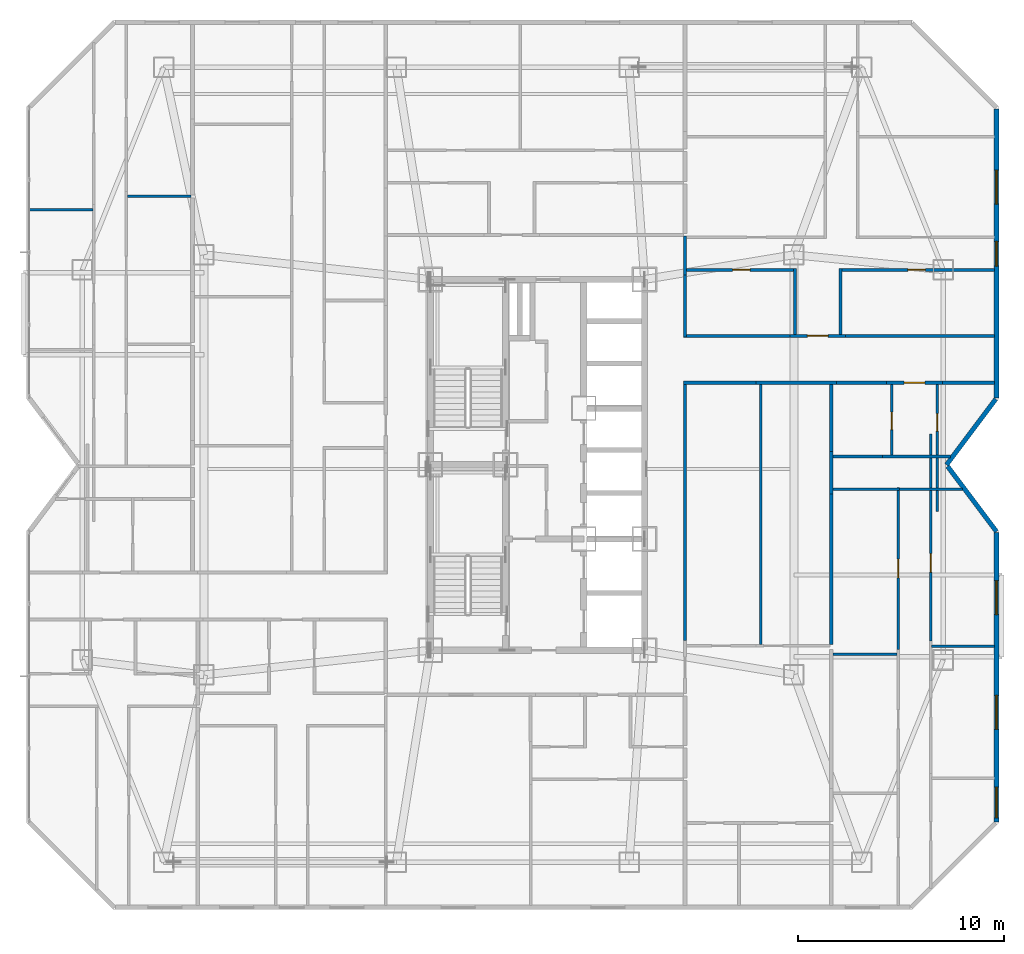
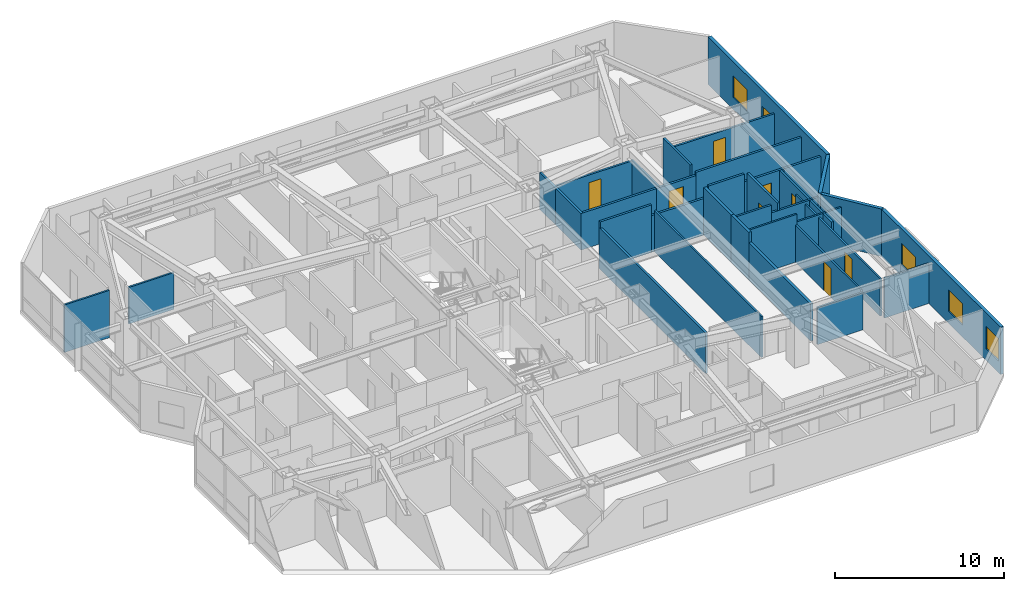
# One storey, part 18 of 21: 35 walls, 8 doors, 5 windows, 13 openings.
"""IFC4 building model written with IfcOpenShell, lengths in metres."""

from ifc_helpers import new_model, si_unit, direction, frame, frame_2d, origin, place, context, subcontext, project, spatial, rectangle, extrude, material, layer, layer_set, type_object, element, fill, save


model = new_model("IFC4")

# Units and contexts
model_context = context("Model", 3, precision=1e-05, world=origin(), true_north=direction((0.0, 1.0)))
body_context = subcontext(model_context, "Body", "Model", "MODEL_VIEW")
ifc_project = project(units=[si_unit("LENGTHUNIT", "METRE"), si_unit("AREAUNIT", "SQUARE_METRE"), si_unit("VOLUMEUNIT", "CUBIC_METRE"), si_unit("PLANEANGLEUNIT", "RADIAN"), si_unit("MASSUNIT", "GRAM", prefix="KILO")], contexts=[model_context])

# Site, building, storey
site_placement = place(None, origin())
site = spatial("IfcSite", under=ifc_project, at=site_placement, CompositionType="ELEMENT")
building_placement = place(site_placement, origin())
building = spatial("IfcBuilding", under=site, at=building_placement, Name="Khamvora Tower", CompositionType="ELEMENT")
storey_placement = place(building_placement, frame((0.0, 0.0, 98.25)))
storey = spatial("IfcBuildingStorey", under=building, at=storey_placement, Name="L24", CompositionType="ELEMENT", Elevation=98.25)

# Walls
ifc_material_1 = material(Name="Fire-Rated Drywall and Steel Stud", Category="steel")
ifc_layer_1 = layer(ifc_material_1, 0.14990234375)
ifc_layer_set_1 = layer_set([ifc_layer_1], Name="Fire-Rated Drywall and Steel Stud")
wall_type_1 = type_object("IfcWallType", Name="WAL-CORR-150", PredefinedType="STANDARD", material=ifc_layer_set_1)
wall_1_placement = place(storey_placement, frame((48.708984375, 31.985107421875, 0.0), z_axis=(0.0, 0.0, 1.0), x_axis=(-1.0, 0.0, 0.0)))
element("IfcWall", 1, at=wall_1_placement, inside=storey, type_object=wall_type_1, Name="L24 interior partition wall 032", PredefinedType="STANDARD", context=body_context, shape_type="SweptSolid", body=[
    extrude(rectangle(XDim=3.906005859375, YDim=0.14990234375, at=frame_2d((1.953125, 0.0))), origin(), (0.0, 0.0, 1.0), 2.64697265625),
])
wall_2_placement = place(storey_placement, frame((44.802978515625, 31.985107421875, 0.0), z_axis=(0.0, 0.0, 1.0), x_axis=(-1.0, 0.0, 0.0)))
element("IfcWall", 2, at=wall_2_placement, inside=storey, type_object=wall_type_1, Name="L24 interior partition wall 033", PredefinedType="STANDARD", context=body_context, shape_type="SweptSolid", body=[
    extrude(rectangle(XDim=3.5029296875, YDim=0.14990234375, at=frame_2d((1.75146484375, 0.0))), origin(), (0.0, 0.0, 1.0), 3.429931640625),
])
wall_3_placement = place(storey_placement, frame((41.364990234375, 32.048095703125, 0.0), z_axis=(0.0, 0.0, 1.0), x_axis=(0.0, -1.0, 0.0)))
element("IfcWall", 3, at=wall_3_placement, inside=storey, type_object=wall_type_1, Name="L24 interior partition wall 034", PredefinedType="STANDARD", context=body_context, shape_type="SweptSolid", body=[
    extrude(rectangle(XDim=12.589111328125, YDim=0.14990234375, at=frame_2d((6.29443359375, 0.0))), origin(), (0.0, 0.0, 1.0), 2.9609375),
])

# Wall, opening, door
wall_4_placement = place(storey_placement, frame((53.85693359375, 31.985107421875, 0.0), z_axis=(0.0, 0.0, 1.0), x_axis=(-1.0, 0.0, 0.0)))
wall_4 = element("IfcWall", 4, at=wall_4_placement, inside=storey, type_object=wall_type_1, Name="L24 interior partition wall 035", PredefinedType="STANDARD", context=body_context, shape_type="SweptSolid", body=[
    extrude(rectangle(XDim=2.698974609375, YDim=0.14990234375, at=frame_2d((1.349609375, 0.0))), origin(), (0.0, 0.0, 1.0), 2.8759765625),
])
opening_1_placement = place(wall_4_placement, frame((0.84912109375, 0.0, 0.0)))
opening_1 = element("IfcOpeningElement", 5, at=opening_1_placement, cuts=wall_4, Name="Opening D-U1", PredefinedType="OPENING", context=body_context, shape_type="SweptSolid", body=[
    extrude(rectangle(XDim=1.0, YDim=2.14990234375, at=frame_2d((0.5, 1.074951171875))), frame((0.0, 0.0849609375, 0.0), z_axis=(0.0, -1.0, 0.0), x_axis=(1.0, 0.0, 0.0)), (0.0, 0.0, 1.0), 0.169921875),
])
ifc_material_2 = material(Name="Powder-Coated Steel and Hardwood Leaf", Category="steel")
door_type_1 = type_object("IfcDoorType", Name="DOR-UNIT-1000", OperationType="NOTDEFINED", PredefinedType="DOOR", material=ifc_material_2)
door_1_placement = place(opening_1_placement, origin())
door_1 = element("IfcDoor", 6, at=door_1_placement, inside=storey, type_object=door_type_1, Name="L24 interior door COR-24EBH", OperationType="SINGLE_SWING_LEFT", OverallHeight=2.14990234375, OverallWidth=1.0, PredefinedType="DOOR", context=body_context, shape_type="SweptSolid", body=[
    extrude(rectangle(XDim=1.0, YDim=2.14990234375, at=frame_2d((0.5, 1.074951171875))), frame((0.0, 0.02490234375, 0.0), z_axis=(0.0, -1.0, 0.0), x_axis=(1.0, 0.0, 0.0)), (0.0, 0.0, 1.0), 0.050048828125),
])
fill(opening_1, door_1)

# Walls
wall_5_placement = place(storey_placement, frame((56.387939453125, 31.985107421875, 0.0), z_axis=(0.0, 0.0, 1.0), x_axis=(-1.0, 0.0, 0.0)))
element("IfcWall", 7, at=wall_5_placement, inside=storey, type_object=wall_type_1, Name="L24 interior partition wall 036", PredefinedType="STANDARD", context=body_context, shape_type="SweptSolid", body=[
    extrude(rectangle(XDim=2.531005859375, YDim=0.14990234375, at=frame_2d((1.265625, 0.0))), origin(), (0.0, 0.0, 1.0), 2.8759765625),
])
wall_6_placement = place(storey_placement, frame((51.157958984375, 31.985107421875, 0.0), z_axis=(0.0, 0.0, 1.0), x_axis=(-1.0, 0.0, 0.0)))
element("IfcWall", 8, at=wall_6_placement, inside=storey, type_object=wall_type_1, Name="L24 interior partition wall 037", PredefinedType="STANDARD", context=body_context, shape_type="SweptSolid", body=[
    extrude(rectangle(XDim=2.448974609375, YDim=0.14990234375, at=frame_2d((1.224609375, 0.0))), origin(), (0.0, 0.0, 1.0), 3.429931640625),
])
wall_7_placement = place(storey_placement, frame((41.364990234375, 39.10009765625, 0.0), z_axis=(0.0, 0.0, 1.0), x_axis=(0.0, -1.0, 0.0)))
element("IfcWall", 9, at=wall_7_placement, inside=storey, type_object=wall_type_1, Name="L24 interior partition wall 038", PredefinedType="STANDARD", context=body_context, shape_type="SweptSolid", body=[
    extrude(rectangle(XDim=1.885009765625, YDim=0.14990234375, at=frame_2d((0.9423828125, 0.0))), origin(), (0.0, 0.0, 1.0), 2.64697265625),
])

# Wall, opening, door
wall_8_placement = place(storey_placement, frame((46.4609375, 34.264892578125, 0.0), z_axis=(0.0, 0.0, 1.0), x_axis=(1.0, 0.0, 0.0)))
wall_8 = element("IfcWall", 10, at=wall_8_placement, inside=storey, type_object=wall_type_1, Name="L24 interior partition wall 039", PredefinedType="STANDARD", context=body_context, shape_type="SweptSolid", body=[
    extrude(rectangle(XDim=2.697998046875, YDim=0.14990234375, at=frame_2d((1.34912109375, 0.0))), origin(), (0.0, 0.0, 1.0), 2.64697265625),
])
opening_2_placement = place(wall_8_placement, frame((0.84912109375, 0.0, 0.0)))
opening_2 = element("IfcOpeningElement", 11, at=opening_2_placement, cuts=wall_8, Name="Opening D-U1", PredefinedType="OPENING", context=body_context, shape_type="SweptSolid", body=[
    extrude(rectangle(XDim=1.0, YDim=2.14990234375, at=frame_2d((0.5, 1.074951171875))), frame((0.0, 0.0849609375, 0.0), z_axis=(0.0, -1.0, 0.0), x_axis=(1.0, 0.0, 0.0)), (0.0, 0.0, 1.0), 0.169921875),
])
door_2_placement = place(opening_2_placement, origin())
door_2 = element("IfcDoor", 12, at=door_2_placement, inside=storey, type_object=door_type_1, Name="L24 interior door COR-24ECH", OperationType="SINGLE_SWING_RIGHT", OverallHeight=2.14990234375, OverallWidth=1.0, PredefinedType="DOOR", context=body_context, shape_type="SweptSolid", body=[
    extrude(rectangle(XDim=1.0, YDim=2.14990234375, at=frame_2d((0.5, 1.074951171875))), frame((0.0, 0.02490234375, 0.0), z_axis=(0.0, -1.0, 0.0), x_axis=(1.0, 0.0, 0.0)), (0.0, 0.0, 1.0), 0.050048828125),
])
fill(opening_2, door_2)

# Walls
wall_9_placement = place(storey_placement, frame((41.364990234375, 37.215087890625, 0.0), z_axis=(0.0, 0.0, 1.0), x_axis=(0.0, -1.0, 0.0)))
element("IfcWall", 13, at=wall_9_placement, inside=storey, type_object=wall_type_1, Name="L24 interior partition wall 040", PredefinedType="STANDARD", context=body_context, shape_type="SweptSolid", body=[
    extrude(rectangle(XDim=3.01513671875, YDim=0.14990234375, at=frame_2d((1.507568359375, 0.0))), origin(), (0.0, 0.0, 1.0), 2.64697265625),
])
wall_10_placement = place(storey_placement, frame((41.300048828125, 34.264892578125, 0.0), z_axis=(0.0, 0.0, 1.0), x_axis=(1.0, 0.0, 0.0)))
element("IfcWall", 14, at=wall_10_placement, inside=storey, type_object=wall_type_1, Name="L24 interior partition wall 041", PredefinedType="STANDARD", context=body_context, shape_type="SweptSolid", body=[
    extrude(rectangle(XDim=5.160888671875, YDim=0.14990234375, at=frame_2d((2.58056640625, 0.0))), origin(), (0.0, 0.0, 1.0), 2.64697265625),
])
wall_11_placement = place(storey_placement, frame((49.158935546875, 34.264892578125, 0.0), z_axis=(0.0, 0.0, 1.0), x_axis=(1.0, 0.0, 0.0)))
element("IfcWall", 15, at=wall_11_placement, inside=storey, type_object=wall_type_1, Name="L24 interior partition wall 042", PredefinedType="STANDARD", context=body_context, shape_type="SweptSolid", body=[
    extrude(rectangle(XDim=7.22900390625, YDim=0.14990234375, at=frame_2d((3.614501953125, 0.0))), origin(), (0.0, 0.0, 1.0), 2.8759765625),
])
ifc_material_3 = material(Name="Acoustic Double-Stud Fire Wall", Category="gypsum")
ifc_layer_2 = layer(ifc_material_3, 0.179931640625)
ifc_layer_set_2 = layer_set([ifc_layer_2], Name="Acoustic Double-Stud Fire Wall")
wall_type_2 = type_object("IfcWallType", Name="WAL-CORR-180", PredefinedType="STANDARD", material=ifc_layer_set_2)
wall_12_placement = place(storey_placement, frame((48.4599609375, 28.654052734375, 0.0), z_axis=(0.0, 0.0, 1.0), x_axis=(0.0, -1.0, 0.0)))
element("IfcWall", 16, at=wall_12_placement, inside=storey, type_object=wall_type_2, Name="L24 interior partition wall 136", PredefinedType="STANDARD", context=body_context, shape_type="SweptSolid", body=[
    extrude(rectangle(XDim=2.078125, YDim=0.179931640625, at=frame_2d((1.0390625, 0.0))), origin(), (0.0, 0.0, 1.0), 3.429931640625),
])
wall_13_placement = place(storey_placement, frame((48.4599609375, 31.91796875, 0.0), z_axis=(0.0, 0.0, 1.0), x_axis=(0.0, -1.0, 0.0)))
element("IfcWall", 17, at=wall_13_placement, inside=storey, type_object=wall_type_2, Name="L24 interior partition wall 137", PredefinedType="STANDARD", context=body_context, shape_type="SweptSolid", body=[
    extrude(rectangle(XDim=3.263916015625, YDim=0.179931640625, at=frame_2d((1.6318359375, 0.0))), origin(), (0.0, 0.0, 1.0), 3.429931640625),
])
wall_14_placement = place(storey_placement, frame((48.4599609375, 26.575927734375, 0.0), z_axis=(0.0, 0.0, 1.0), x_axis=(0.0, -1.0, 0.0)))
element("IfcWall", 18, at=wall_14_placement, inside=storey, type_object=wall_type_2, Name="L24 interior partition wall 138", PredefinedType="STANDARD", context=body_context, shape_type="SweptSolid", body=[
    extrude(rectangle(XDim=7.301025390625, YDim=0.179931640625, at=frame_2d((3.650390625, 0.0))), origin(), (0.0, 0.0, 1.0), 2.68701171875),
])

# Wall, openings, windows
ifc_material_4 = material(Name="Precast concrete C40/50", Category="concrete")
ifc_layer_3 = layer(ifc_material_4, 0.219970703125)
ifc_layer_set_3 = layer_set([ifc_layer_3], Name="Precast concrete C40/50")
wall_type_3 = type_object("IfcWallType", Name="WAL-EXT-220", PredefinedType="STANDARD", material=ifc_layer_set_3)
wall_15_placement = place(storey_placement, frame((56.489990234375, 45.282958984375, 0.0), z_axis=(0.0, 0.0, 1.0), x_axis=(0.0, -1.0, 0.0)))
wall_15 = element("IfcWall", 19, at=wall_15_placement, inside=storey, type_object=wall_type_3, Name="L24 exterior facade wall 09.1", PredefinedType="STANDARD", context=body_context, shape_type="SweptSolid", body=[
    extrude(rectangle(XDim=14.0458984375, YDim=0.219970703125, at=frame_2d((7.02294921875, 0.0))), origin(), (0.0, 0.0, 1.0), 3.429931640625),
])
opening_3_placement = place(wall_15_placement, frame((6.428955078125, 0.0, 0.800048828125)))
opening_3 = element("IfcOpeningElement", 20, at=opening_3_placement, cuts=wall_15, Name="Opening WN-03", PredefinedType="OPENING", context=body_context, shape_type="SweptSolid", body=[
    extrude(rectangle(XDim=1.199951171875, YDim=1.5, at=frame_2d((0.60009765625, 0.75))), frame((0.0, 0.119873046875, 0.0), z_axis=(0.0, -1.0, 0.0), x_axis=(1.0, 0.0, 0.0)), (0.0, 0.0, 1.0), 0.239990234375),
])
opening_4_placement = place(wall_15_placement, frame((2.970947265625, 0.0, 0.85009765625)))
opening_4 = element("IfcOpeningElement", 21, at=opening_4_placement, cuts=wall_15, Name="Opening WN-06", PredefinedType="OPENING", context=body_context, shape_type="SweptSolid", body=[
    extrude(rectangle(XDim=1.64990234375, YDim=1.550048828125, at=frame_2d((0.824951171875, 0.77490234375))), frame((0.0, 0.119873046875, 0.0), z_axis=(0.0, -1.0, 0.0), x_axis=(1.0, 0.0, 0.0)), (0.0, 0.0, 1.0), 0.239990234375),
])
ifc_material_5 = material(Name="Low-E Laminated Double Glazing", Category="glass")
window_type_1 = type_object("IfcWindowType", Name="WIN-VIS-1200x1500", PartitioningType="SINGLE_PANEL", PredefinedType="WINDOW", material=ifc_material_5)
window_1_placement = place(opening_3_placement, origin())
window_1 = element("IfcWindow", 22, at=window_1_placement, inside=storey, type_object=window_type_1, Name="L24 vision window 09.1.01", OverallHeight=1.5, OverallWidth=1.199951171875, PartitioningType="SINGLE_PANEL", PredefinedType="WINDOW", context=body_context, shape_type="SweptSolid", body=[
    extrude(rectangle(XDim=1.199951171875, YDim=1.5, at=frame_2d((0.60009765625, 0.75))), frame((0.0, 0.030029296875, 0.0), z_axis=(0.0, -1.0, 0.0), x_axis=(1.0, 0.0, 0.0)), (0.0, 0.0, 1.0), 0.06005859375),
])
fill(opening_3, window_1)
window_type_2 = type_object("IfcWindowType", Name="WIN-VIS-1650x1550", PartitioningType="SINGLE_PANEL", PredefinedType="WINDOW", material=ifc_material_5)
window_2_placement = place(opening_4_placement, origin())
window_2 = element("IfcWindow", 23, at=window_2_placement, inside=storey, type_object=window_type_2, Name="L24 vision window 09.1.02", OverallHeight=1.550048828125, OverallWidth=1.64990234375, PartitioningType="SINGLE_PANEL", PredefinedType="WINDOW", context=body_context, shape_type="SweptSolid", body=[
    extrude(rectangle(XDim=1.64990234375, YDim=1.550048828125, at=frame_2d((0.824951171875, 0.77490234375))), frame((0.0, 0.030029296875, 0.0), z_axis=(0.0, -1.0, 0.0), x_axis=(1.0, 0.0, 0.0)), (0.0, 0.0, 1.0), 0.06005859375),
])
fill(opening_4, window_2)

# Walls
wall_16_placement = place(storey_placement, frame((56.4560546875, 31.19091796875, 0.0), z_axis=(0.0, 0.0, 1.0), x_axis=(-0.600137081448, -0.799897170561, 0.0)))
element("IfcWall", 24, at=wall_16_placement, inside=storey, type_object=wall_type_3, Name="L24 exterior facade wall 10.1", PredefinedType="STANDARD", context=body_context, shape_type="SweptSolid", body=[
    extrude(rectangle(XDim=3.9892578125, YDim=0.219970703125, at=frame_2d((1.99462890625, 0.0))), origin(), (0.0, 0.0, 1.0), 3.429931640625),
])
wall_17_placement = place(storey_placement, frame((54.118896484375, 27.924072265625, 0.0), z_axis=(0.0, 0.0, 1.0), x_axis=(0.600039540588, -0.799970343032, 0.0)))
element("IfcWall", 25, at=wall_17_placement, inside=storey, type_object=wall_type_3, Name="L24 exterior facade wall 11.1", PredefinedType="STANDARD", context=body_context, shape_type="SweptSolid", body=[
    extrude(rectangle(XDim=3.95166015625, YDim=0.219970703125, at=frame_2d((1.975830078125, 0.0))), origin(), (0.0, 0.0, 1.0), 3.429931640625),
])

# Wall, openings, windows
wall_18_placement = place(storey_placement, frame((56.489990234375, 24.70703125, 0.0), z_axis=(0.0, 0.0, 1.0), x_axis=(0.0, -1.0, 0.0)))
wall_18 = element("IfcWall", 26, at=wall_18_placement, inside=storey, type_object=wall_type_3, Name="L24 exterior facade wall 12.1", PredefinedType="STANDARD", context=body_context, shape_type="SweptSolid", body=[
    extrude(rectangle(XDim=14.06103515625, YDim=0.219970703125, at=frame_2d((7.030517578125, 0.0))), origin(), (0.0, 0.0, 1.0), 3.429931640625),
])
opening_5_placement = place(wall_18_placement, frame((12.35595703125, 0.0, 0.85009765625)))
opening_5 = element("IfcOpeningElement", 27, at=opening_5_placement, cuts=wall_18, Name="Opening WN-02", PredefinedType="OPENING", context=body_context, shape_type="SweptSolid", body=[
    extrude(rectangle(XDim=1.5, YDim=1.60009765625, at=frame_2d((0.75, 0.800048828125))), frame((0.0, 0.119873046875, 0.0), z_axis=(0.0, -1.0, 0.0), x_axis=(1.0, 0.0, 0.0)), (0.0, 0.0, 1.0), 0.239990234375),
])
opening_6_placement = place(wall_18_placement, frame((7.902099609375, 0.0, 0.85009765625)))
opening_6 = element("IfcOpeningElement", 28, at=opening_6_placement, cuts=wall_18, Name="Opening WN-06", PredefinedType="OPENING", context=body_context, shape_type="SweptSolid", body=[
    extrude(rectangle(XDim=1.64990234375, YDim=1.550048828125, at=frame_2d((0.824951171875, 0.77490234375))), frame((0.0, 0.119873046875, 0.0), z_axis=(0.0, -1.0, 0.0), x_axis=(1.0, 0.0, 0.0)), (0.0, 0.0, 1.0), 0.239990234375),
])
opening_7_placement = place(wall_18_placement, frame((2.326904296875, 0.0, 0.85009765625)))
opening_7 = element("IfcOpeningElement", 29, at=opening_7_placement, cuts=wall_18, Name="Opening WN-06", PredefinedType="OPENING", context=body_context, shape_type="SweptSolid", body=[
    extrude(rectangle(XDim=1.64990234375, YDim=1.550048828125, at=frame_2d((0.824951171875, 0.77490234375))), frame((0.0, 0.119873046875, 0.0), z_axis=(0.0, -1.0, 0.0), x_axis=(1.0, 0.0, 0.0)), (0.0, 0.0, 1.0), 0.239990234375),
])
window_type_3 = type_object("IfcWindowType", Name="WIN-VIS-1500x1600", PartitioningType="SINGLE_PANEL", PredefinedType="WINDOW", material=ifc_material_5)
window_3_placement = place(opening_5_placement, origin())
window_3 = element("IfcWindow", 30, at=window_3_placement, inside=storey, type_object=window_type_3, Name="L24 vision window 12.1.01", OverallHeight=1.60009765625, OverallWidth=1.5, PartitioningType="SINGLE_PANEL", PredefinedType="WINDOW", context=body_context, shape_type="SweptSolid", body=[
    extrude(rectangle(XDim=1.5, YDim=1.60009765625, at=frame_2d((0.75, 0.800048828125))), frame((0.0, 0.030029296875, 0.0), z_axis=(0.0, -1.0, 0.0), x_axis=(1.0, 0.0, 0.0)), (0.0, 0.0, 1.0), 0.06005859375),
])
fill(opening_5, window_3)
window_4_placement = place(opening_6_placement, origin())
window_4 = element("IfcWindow", 31, at=window_4_placement, inside=storey, type_object=window_type_2, Name="L24 vision window 12.1.02", OverallHeight=1.550048828125, OverallWidth=1.64990234375, PartitioningType="SINGLE_PANEL", PredefinedType="WINDOW", context=body_context, shape_type="SweptSolid", body=[
    extrude(rectangle(XDim=1.64990234375, YDim=1.550048828125, at=frame_2d((0.824951171875, 0.77490234375))), frame((0.0, 0.030029296875, 0.0), z_axis=(0.0, -1.0, 0.0), x_axis=(1.0, 0.0, 0.0)), (0.0, 0.0, 1.0), 0.06005859375),
])
fill(opening_6, window_4)
window_5_placement = place(opening_7_placement, origin())
window_5 = element("IfcWindow", 32, at=window_5_placement, inside=storey, type_object=window_type_2, Name="L24 vision window 12.1.03", OverallHeight=1.550048828125, OverallWidth=1.64990234375, PartitioningType="SINGLE_PANEL", PredefinedType="WINDOW", context=body_context, shape_type="SweptSolid", body=[
    extrude(rectangle(XDim=1.64990234375, YDim=1.550048828125, at=frame_2d((0.824951171875, 0.77490234375))), frame((0.0, 0.030029296875, 0.0), z_axis=(0.0, -1.0, 0.0), x_axis=(1.0, 0.0, 0.0)), (0.0, 0.0, 1.0), 0.06005859375),
])
fill(opening_7, window_5)

# Walls
ifc_material_6 = material(Name="Gypsum Plasterboard Partition", Category="gypsum")
ifc_layer_4 = layer(ifc_material_6, 0.1201171875)
ifc_layer_set_4 = layer_set([ifc_layer_4], Name="Gypsum Plasterboard Partition")
wall_type_4 = type_object("IfcWallType", Name="WAL-PART-120", PredefinedType="PARTITIONING", material=ifc_layer_set_4)
wall_19_placement = place(storey_placement, frame((9.510009765625, 40.39501953125, 0.0), z_axis=(0.0, 0.0, 1.0), x_axis=(1.0, 0.0, 0.0)))
element("IfcWall", 33, at=wall_19_placement, inside=storey, type_object=wall_type_4, Name="L24 interior partition wall 084", PredefinedType="PARTITIONING", context=body_context, shape_type="SweptSolid", body=[
    extrude(rectangle(XDim=3.097900390625, YDim=0.1201171875, at=frame_2d((1.548828125, 0.0))), origin(), (0.0, 0.0, 1.0), 3.429931640625),
])
wall_20_placement = place(storey_placement, frame((14.285888671875, 41.031005859375, 0.0), z_axis=(0.0, 0.0, 1.0), x_axis=(1.0, 0.0, 0.0)))
element("IfcWall", 34, at=wall_20_placement, inside=storey, type_object=wall_type_4, Name="L24 interior partition wall 088", PredefinedType="PARTITIONING", context=body_context, shape_type="SweptSolid", body=[
    extrude(rectangle(XDim=3.09912109375, YDim=0.1201171875, at=frame_2d((1.549560546875, 0.0))), origin(), (0.0, 0.0, 1.0), 2.64697265625),
])
wall_21_placement = place(storey_placement, frame((45.052001953125, 19.263916015625, 0.0), z_axis=(0.0, 0.0, 1.0), x_axis=(0.0, 1.0, 0.0)))
element("IfcWall", 35, at=wall_21_placement, inside=storey, type_object=wall_type_4, Name="L24 interior partition wall 135", PredefinedType="PARTITIONING", context=body_context, shape_type="SweptSolid", body=[
    extrude(rectangle(XDim=12.654052734375, YDim=0.1201171875, at=frame_2d((6.3271484375, 0.0))), origin(), (0.0, 0.0, 1.0), 2.9609375),
])

# Wall, opening, door
wall_22_placement = place(storey_placement, frame((51.722900390625, 19.0419921875, 0.0), z_axis=(0.0, 0.0, 1.0), x_axis=(0.0, 1.0, 0.0)))
wall_22 = element("IfcWall", 36, at=wall_22_placement, inside=storey, type_object=wall_type_4, Name="L24 interior partition wall 147", PredefinedType="PARTITIONING", context=body_context, shape_type="SweptSolid", body=[
    extrude(rectangle(XDim=7.847900390625, YDim=0.1201171875, at=frame_2d((3.923828125, 0.0))), origin(), (0.0, 0.0, 1.0), 2.68701171875),
])
opening_8_placement = place(wall_22_placement, frame((3.47412109375, 0.0, 0.0)))
opening_8 = element("IfcOpeningElement", 37, at=opening_8_placement, cuts=wall_22, Name="Opening D-RM1", PredefinedType="OPENING", context=body_context, shape_type="SweptSolid", body=[
    extrude(rectangle(XDim=0.89990234375, YDim=2.10009765625, at=frame_2d((0.449951171875, 1.050048828125))), frame((0.0, 0.070068359375, 0.0), z_axis=(0.0, -1.0, 0.0), x_axis=(1.0, 0.0, 0.0)), (0.0, 0.0, 1.0), 0.14013671875),
])
door_type_2 = type_object("IfcDoorType", Name="DOR-ROOM-900", OperationType="NOTDEFINED", PredefinedType="DOOR", material=ifc_material_2)
door_3_placement = place(opening_8_placement, origin())
door_3 = element("IfcDoor", 38, at=door_3_placement, inside=storey, type_object=door_type_2, Name="L24 interior door 24EBH-24EBR3", OperationType="SINGLE_SWING_LEFT", OverallHeight=2.10009765625, OverallWidth=0.89990234375, PredefinedType="DOOR", context=body_context, shape_type="SweptSolid", body=[
    extrude(rectangle(XDim=0.89990234375, YDim=2.10009765625, at=frame_2d((0.449951171875, 1.050048828125))), frame((0.0, 0.02490234375, 0.0), z_axis=(0.0, -1.0, 0.0), x_axis=(1.0, 0.0, 0.0)), (0.0, 0.0, 1.0), 0.050048828125),
])
fill(opening_8, door_3)

# Walls
wall_23_placement = place(storey_placement, frame((51.7880859375, 26.824951171875, 0.0), z_axis=(0.0, 0.0, 1.0), x_axis=(-1.0, 0.0, 0.0)))
element("IfcWall", 39, at=wall_23_placement, inside=storey, type_object=wall_type_4, Name="L24 interior partition wall 148", PredefinedType="PARTITIONING", context=body_context, shape_type="SweptSolid", body=[
    extrude(rectangle(XDim=3.24609375, YDim=0.1201171875, at=frame_2d((1.623046875, 0.0))), origin(), (0.0, 0.0, 1.0), 3.429931640625),
])
wall_24_placement = place(storey_placement, frame((54.83203125, 26.824951171875, 0.0), z_axis=(0.0, 0.0, 1.0), x_axis=(-1.0, 0.0, 0.0)))
element("IfcWall", 40, at=wall_24_placement, inside=storey, type_object=wall_type_4, Name="L24 interior partition wall 151", PredefinedType="PARTITIONING", context=body_context, shape_type="SweptSolid", body=[
    extrude(rectangle(XDim=3.0439453125, YDim=0.1201171875, at=frame_2d((1.52197265625, 0.0))), origin(), (0.0, 0.0, 1.0), 2.8759765625),
])

# Wall, opening, door
wall_25_placement = place(storey_placement, frame((53.2919921875, 29.489990234375, 0.0), z_axis=(0.0, 0.0, 1.0), x_axis=(0.0, -1.0, 0.0)))
wall_25 = element("IfcWall", 41, at=wall_25_placement, inside=storey, type_object=wall_type_4, Name="L24 interior partition wall 152", PredefinedType="PARTITIONING", context=body_context, shape_type="SweptSolid", body=[
    extrude(rectangle(XDim=10.052978515625, YDim=0.1201171875, at=frame_2d((5.0263671875, 0.0))), origin(), (0.0, 0.0, 1.0), 2.68701171875),
])
opening_9_placement = place(wall_25_placement, frame((5.805908203125, 0.0, 0.0)))
opening_9 = element("IfcOpeningElement", 42, at=opening_9_placement, cuts=wall_25, Name="Opening D-RM1", PredefinedType="OPENING", context=body_context, shape_type="SweptSolid", body=[
    extrude(rectangle(XDim=0.89990234375, YDim=2.10009765625, at=frame_2d((0.449951171875, 1.050048828125))), frame((0.0, 0.070068359375, 0.0), z_axis=(0.0, -1.0, 0.0), x_axis=(1.0, 0.0, 0.0)), (0.0, 0.0, 1.0), 0.14013671875),
])
door_4_placement = place(opening_9_placement, origin())
door_4 = element("IfcDoor", 43, at=door_4_placement, inside=storey, type_object=door_type_2, Name="L24 interior door 24EBH-24EBR6", OperationType="SINGLE_SWING_LEFT", OverallHeight=2.10009765625, OverallWidth=0.89990234375, PredefinedType="DOOR", context=body_context, shape_type="SweptSolid", body=[
    extrude(rectangle(XDim=0.89990234375, YDim=2.10009765625, at=frame_2d((0.449951171875, 1.050048828125))), frame((0.0, 0.02490234375, 0.0), z_axis=(0.0, -1.0, 0.0), x_axis=(1.0, 0.0, 0.0)), (0.0, 0.0, 1.0), 0.050048828125),
])
fill(opening_9, door_4)

# Walls
wall_26_placement = place(storey_placement, frame((48.5419921875, 18.79296875, 0.0), z_axis=(0.0, 0.0, 1.0), x_axis=(1.0, 0.0, 0.0)))
element("IfcWall", 44, at=wall_26_placement, inside=storey, type_object=wall_type_4, Name="L24 interior partition wall 154", PredefinedType="PARTITIONING", context=body_context, shape_type="SweptSolid", body=[
    extrude(rectangle(XDim=3.126953125, YDim=0.1201171875, at=frame_2d((1.5634765625, 0.0))), origin(), (0.0, 0.0, 1.0), 2.68701171875),
])
wall_27_placement = place(storey_placement, frame((53.345947265625, 19.18701171875, 0.0), z_axis=(0.0, 0.0, 1.0), x_axis=(1.0, 0.0, 0.0)))
element("IfcWall", 45, at=wall_27_placement, inside=storey, type_object=wall_type_4, Name="L24 interior partition wall 156", PredefinedType="PARTITIONING", context=body_context, shape_type="SweptSolid", body=[
    extrude(rectangle(XDim=3.0419921875, YDim=0.1201171875, at=frame_2d((1.52099609375, 0.0))), origin(), (0.0, 0.0, 1.0), 2.8759765625),
])

# Wall, opening, door
ifc_material_7 = material(Name="Moisture-Resistant Plasterboard Partition", Category="gypsum")
ifc_layer_5 = layer(ifc_material_7, 0.135009765625)
ifc_layer_set_5 = layer_set([ifc_layer_5], Name="Moisture-Resistant Plasterboard Partition")
wall_type_5 = type_object("IfcWallType", Name="WAL-WET-135", PredefinedType="PARTITIONING", material=ifc_layer_set_5)
wall_28_placement = place(storey_placement, frame((53.60791015625, 31.91796875, 0.0), z_axis=(0.0, 0.0, 1.0), x_axis=(0.0, -1.0, 0.0)))
wall_28 = element("IfcWall", 46, at=wall_28_placement, inside=storey, type_object=wall_type_5, Name="L24 interior partition wall 141", PredefinedType="PARTITIONING", context=body_context, shape_type="SweptSolid", body=[
    extrude(rectangle(XDim=6.177978515625, YDim=0.135009765625, at=frame_2d((3.0888671875, 0.0))), origin(), (0.0, 0.0, 1.0), 2.8759765625),
])
opening_10_placement = place(wall_28_placement, frame((1.43505859375, 0.0, 0.0)))
opening_10 = element("IfcOpeningElement", 47, at=opening_10_placement, cuts=wall_28, Name="Opening D-WC1", PredefinedType="OPENING", context=body_context, shape_type="SweptSolid", body=[
    extrude(rectangle(XDim=0.85009765625, YDim=2.10009765625, at=frame_2d((0.425048828125, 1.050048828125))), frame((0.0, 0.077392578125, 0.0), z_axis=(0.0, -1.0, 0.0), x_axis=(1.0, 0.0, 0.0)), (0.0, 0.0, 1.0), 0.155029296875),
])
door_type_3 = type_object("IfcDoorType", Name="DOR-WET-850", OperationType="NOTDEFINED", PredefinedType="DOOR", material=ifc_material_2)
door_5_placement = place(opening_10_placement, origin())
door_5 = element("IfcDoor", 48, at=door_5_placement, inside=storey, type_object=door_type_3, Name="L24 interior door 24EBH-24EBB", OperationType="SINGLE_SWING_LEFT", OverallHeight=2.10009765625, OverallWidth=0.85009765625, PredefinedType="DOOR", context=body_context, shape_type="SweptSolid", body=[
    extrude(rectangle(XDim=0.85009765625, YDim=2.10009765625, at=frame_2d((0.425048828125, 1.050048828125))), frame((0.0, 0.02490234375, 0.0), z_axis=(0.0, -1.0, 0.0), x_axis=(1.0, 0.0, 0.0)), (0.0, 0.0, 1.0), 0.050048828125),
])
fill(opening_10, door_5)

# Walls
wall_29_placement = place(storey_placement, frame((50.943115234375, 28.405029296875, 0.0), z_axis=(0.0, 0.0, 1.0), x_axis=(1.0, 0.0, 0.0)))
element("IfcWall", 49, at=wall_29_placement, inside=storey, type_object=wall_type_5, Name="L24 interior partition wall 142", PredefinedType="PARTITIONING", context=body_context, shape_type="SweptSolid", body=[
    extrude(rectangle(XDim=3.310791015625, YDim=0.135009765625, at=frame_2d((1.6552734375, 0.0))), origin(), (0.0, 0.0, 1.0), 2.8759765625),
])
wall_30_placement = place(storey_placement, frame((48.5419921875, 28.405029296875, 0.0), z_axis=(0.0, 0.0, 1.0), x_axis=(1.0, 0.0, 0.0)))
element("IfcWall", 50, at=wall_30_placement, inside=storey, type_object=wall_type_5, Name="L24 interior partition wall 143", PredefinedType="PARTITIONING", context=body_context, shape_type="SweptSolid", body=[
    extrude(rectangle(XDim=2.401123046875, YDim=0.135009765625, at=frame_2d((1.20068359375, 0.0))), origin(), (0.0, 0.0, 1.0), 3.429931640625),
])

# Wall, opening, door
wall_31_placement = place(storey_placement, frame((51.406982421875, 28.340087890625, 0.0), z_axis=(0.0, 0.0, 1.0), x_axis=(0.0, 1.0, 0.0)))
wall_31 = element("IfcWall", 51, at=wall_31_placement, inside=storey, type_object=wall_type_5, Name="L24 interior partition wall 144", PredefinedType="PARTITIONING", context=body_context, shape_type="SweptSolid", body=[
    extrude(rectangle(XDim=3.577880859375, YDim=0.135009765625, at=frame_2d((1.7890625, 0.0))), origin(), (0.0, 0.0, 1.0), 3.429931640625),
])
opening_11_placement = place(wall_31_placement, frame((1.364013671875, 0.0, 0.0)))
opening_11 = element("IfcOpeningElement", 52, at=opening_11_placement, cuts=wall_31, Name="Opening D-RM2", PredefinedType="OPENING", context=body_context, shape_type="SweptSolid", body=[
    extrude(rectangle(XDim=0.85009765625, YDim=2.10009765625, at=frame_2d((0.425048828125, 1.050048828125))), frame((0.0, 0.077392578125, 0.0), z_axis=(0.0, -1.0, 0.0), x_axis=(1.0, 0.0, 0.0)), (0.0, 0.0, 1.0), 0.155029296875),
])
door_type_4 = type_object("IfcDoorType", Name="DOR-ROOM-850", OperationType="NOTDEFINED", PredefinedType="DOOR", material=ifc_material_2)
door_6_placement = place(opening_11_placement, origin())
door_6 = element("IfcDoor", 53, at=door_6_placement, inside=storey, type_object=door_type_4, Name="L24 interior door 24EBH-24EBK", OperationType="SINGLE_SWING_RIGHT", OverallHeight=2.10009765625, OverallWidth=0.85009765625, PredefinedType="DOOR", context=body_context, shape_type="SweptSolid", body=[
    extrude(rectangle(XDim=0.85009765625, YDim=2.10009765625, at=frame_2d((0.425048828125, 1.050048828125))), frame((0.0, 0.02490234375, 0.0), z_axis=(0.0, -1.0, 0.0), x_axis=(1.0, 0.0, 0.0)), (0.0, 0.0, 1.0), 0.050048828125),
])
fill(opening_11, door_6)

# Wall
wall_32_placement = place(storey_placement, frame((46.7099609375, 34.33203125, 0.0), z_axis=(0.0, 0.0, 1.0), x_axis=(0.0, 1.0, 0.0)))
element("IfcWall", 54, at=wall_32_placement, inside=storey, type_object=wall_type_5, Name="L24 interior partition wall 157", PredefinedType="PARTITIONING", context=body_context, shape_type="SweptSolid", body=[
    extrude(rectangle(XDim=3.197021484375, YDim=0.135009765625, at=frame_2d((1.5986328125, 0.0))), origin(), (0.0, 0.0, 1.0), 2.64697265625),
])

# Wall, opening, door
wall_33_placement = place(storey_placement, frame((46.77490234375, 37.464111328125, 0.0), z_axis=(0.0, 0.0, 1.0), x_axis=(-1.0, 0.0, 0.0)))
wall_33 = element("IfcWall", 55, at=wall_33_placement, inside=storey, type_object=wall_type_5, Name="L24 interior partition wall 158", PredefinedType="PARTITIONING", context=body_context, shape_type="SweptSolid", body=[
    extrude(rectangle(XDim=5.343017578125, YDim=0.135009765625, at=frame_2d((2.67138671875, 0.0))), origin(), (0.0, 0.0, 1.0), 2.64697265625),
])
opening_12_placement = place(wall_33_placement, frame((2.2470703125, 0.0, 0.0)))
opening_12 = element("IfcOpeningElement", 56, at=opening_12_placement, cuts=wall_33, Name="Opening D-WC1", PredefinedType="OPENING", context=body_context, shape_type="SweptSolid", body=[
    extrude(rectangle(XDim=0.85009765625, YDim=2.10009765625, at=frame_2d((0.425048828125, 1.050048828125))), frame((0.0, 0.077392578125, 0.0), z_axis=(0.0, -1.0, 0.0), x_axis=(1.0, 0.0, 0.0)), (0.0, 0.0, 1.0), 0.155029296875),
])
door_7_placement = place(opening_12_placement, origin())
door_7 = element("IfcDoor", 57, at=door_7_placement, inside=storey, type_object=door_type_3, Name="L24 interior door 24ECH-24ECB", OperationType="SINGLE_SWING_RIGHT", OverallHeight=2.10009765625, OverallWidth=0.85009765625, PredefinedType="DOOR", context=body_context, shape_type="SweptSolid", body=[
    extrude(rectangle(XDim=0.85009765625, YDim=2.10009765625, at=frame_2d((0.425048828125, 1.050048828125))), frame((0.0, 0.02490234375, 0.0), z_axis=(0.0, -1.0, 0.0), x_axis=(1.0, 0.0, 0.0)), (0.0, 0.0, 1.0), 0.050048828125),
])
fill(opening_12, door_7)

wall_34_placement = place(storey_placement, frame((56.387939453125, 37.464111328125, 0.0), z_axis=(0.0, 0.0, 1.0), x_axis=(-1.0, 0.0, 0.0)))
wall_34 = element("IfcWall", 58, at=wall_34_placement, inside=storey, type_object=wall_type_5, Name="L24 interior partition wall 159", PredefinedType="PARTITIONING", context=body_context, shape_type="SweptSolid", body=[
    extrude(rectangle(XDim=7.54296875, YDim=0.135009765625, at=frame_2d((3.771484375, 0.0))), origin(), (0.0, 0.0, 1.0), 2.64697265625),
])
opening_13_placement = place(wall_34_placement, frame((3.346923828125, 0.0, 0.0)))
opening_13 = element("IfcOpeningElement", 59, at=opening_13_placement, cuts=wall_34, Name="Opening D-RM2", PredefinedType="OPENING", context=body_context, shape_type="SweptSolid", body=[
    extrude(rectangle(XDim=0.85009765625, YDim=2.10009765625, at=frame_2d((0.425048828125, 1.050048828125))), frame((0.0, 0.077392578125, 0.0), z_axis=(0.0, -1.0, 0.0), x_axis=(1.0, 0.0, 0.0)), (0.0, 0.0, 1.0), 0.155029296875),
])
door_8_placement = place(opening_13_placement, origin())
door_8 = element("IfcDoor", 60, at=door_8_placement, inside=storey, type_object=door_type_4, Name="L24 interior door 24ECH-24ECK", OperationType="SINGLE_SWING_RIGHT", OverallHeight=2.10009765625, OverallWidth=0.85009765625, PredefinedType="DOOR", context=body_context, shape_type="SweptSolid", body=[
    extrude(rectangle(XDim=0.85009765625, YDim=2.10009765625, at=frame_2d((0.425048828125, 1.050048828125))), frame((0.0, 0.02490234375, 0.0), z_axis=(0.0, -1.0, 0.0), x_axis=(1.0, 0.0, 0.0)), (0.0, 0.0, 1.0), 0.050048828125),
])
fill(opening_13, door_8)

# Wall
wall_35_placement = place(storey_placement, frame((48.909912109375, 37.529052734375, 0.0), z_axis=(0.0, 0.0, 1.0), x_axis=(0.0, -1.0, 0.0)))
element("IfcWall", 61, at=wall_35_placement, inside=storey, type_object=wall_type_5, Name="L24 interior partition wall 160", PredefinedType="PARTITIONING", context=body_context, shape_type="SweptSolid", body=[
    extrude(rectangle(XDim=3.197021484375, YDim=0.135009765625, at=frame_2d((1.5986328125, 0.0))), origin(), (0.0, 0.0, 1.0), 3.429931640625),
])

save(model, "model.ifc")
